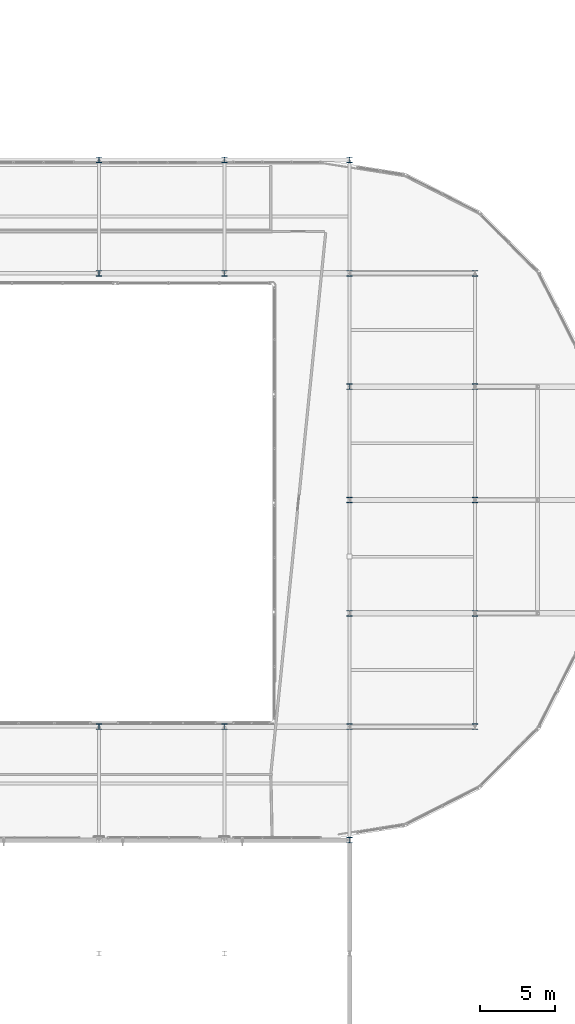
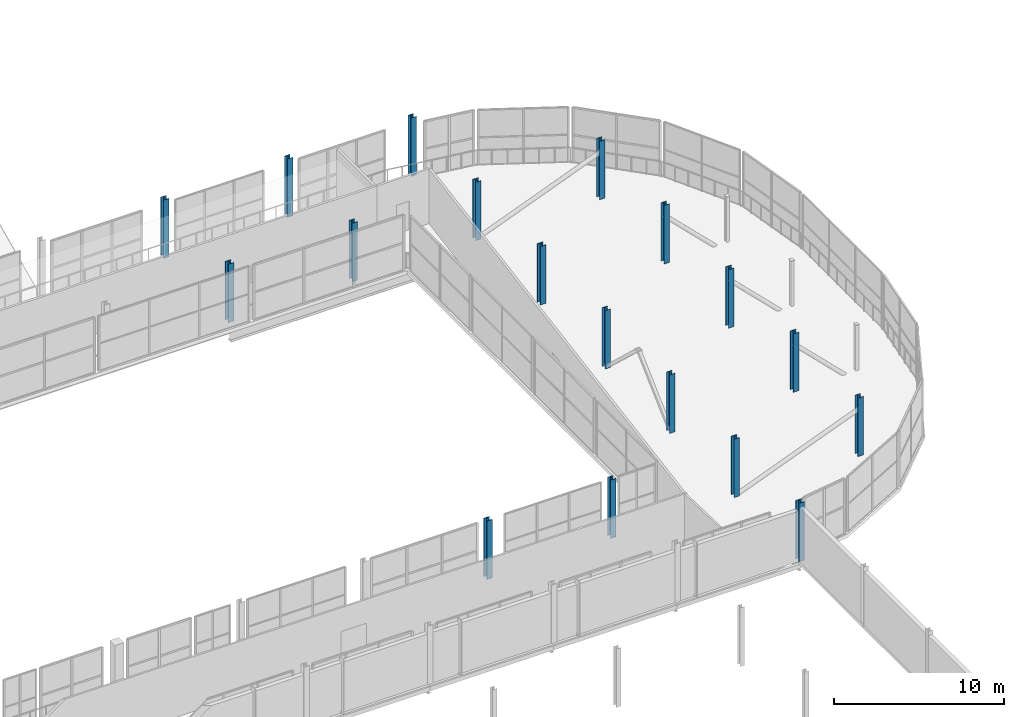
# One storey, part 12 of 217: 18 columns.
"""IFC4 building model written with IfcOpenShell, lengths in metres."""

from ifc_helpers import new_model, si_unit, direction, frame, origin, origin_2d, place, context, subcontext, project, spatial, i_section, extrude, material, material_profile, profile_set, type_object, element, save


model = new_model("IFC4")

# Units and contexts
model_context = context("Model", 3, precision=1e-05, world=origin(), true_north=direction((0.0, 1.0)))
body_context = subcontext(model_context, "Body", "Model", "MODEL_VIEW")
ifc_project = project(units=[si_unit("LENGTHUNIT", "METRE"), si_unit("AREAUNIT", "SQUARE_METRE"), si_unit("VOLUMEUNIT", "CUBIC_METRE"), si_unit("PLANEANGLEUNIT", "RADIAN"), si_unit("MASSUNIT", "GRAM", prefix="KILO")], contexts=[model_context])

# Site, building, storey
site_placement = place(None, origin())
site = spatial("IfcSite", under=ifc_project, at=site_placement, CompositionType="ELEMENT")
building_placement = place(site_placement, origin())
building = spatial("IfcBuilding", under=site, at=building_placement, Name="Zuvorla Pavilion Media Centre", CompositionType="ELEMENT")
storey_placement = place(building_placement, frame((0.0, 0.0, 9.60009765625)))
storey = spatial("IfcBuildingStorey", under=building, at=storey_placement, Name="L02", CompositionType="ELEMENT", Elevation=9.60009765625)

# Columns
ifc_material = material(Name="Steel S355", Category="steel")
ifc_material_profile = material_profile(ifc_material, i_section(OverallWidth=0.37255859375, OverallDepth=0.3681640625, WebThickness=0.014404296875, FlangeThickness=0.023681640625, FilletRadius=0.01513671875, at=origin_2d()), Name="UC 356x368x177")
ifc_profile_set = profile_set([ifc_material_profile], Name="Steel S355")
column_type = type_object("IfcColumnType", Name="COL-UC356", PredefinedType="COLUMN", material=ifc_profile_set)
for number, where, z_axis, x_axis, name in (
    (1, (159.199951171875, 44.0, 0.0), (0.0, 0.0, 1.0), (1.0, 0.0, 0.0), "L02 column C09 571"),
    (2, (142.39990234375, 51.60009765625, 0.0), (0.0, 0.0, 1.0), (1.0, 0.0, 0.0), "L02 column C09 651"),
    (3, (150.800048828125, 51.60009765625, 0.0), (0.0, 0.0, 1.0), (1.0, 0.0, 0.0), "L02 column C09 656"),
    (4, (159.199951171875, 51.60009765625, 0.0), (0.0, 0.0, 1.0), (1.0, 0.0, 0.0), "L02 column C09 661"),
    (5, (167.60009765625, 51.60009765625, 0.0), (0.0, 0.0, 1.0), (1.0, 0.0, 0.0), "L02 column C09 666"),
    (6, (159.199951171875, 59.199951171875, 0.0), (0.0, 0.0, 1.0), (1.0, 0.0, 0.0), "L02 column C09 687"),
    (7, (167.60009765625, 59.199951171875, 0.0), (0.0, 0.0, 1.0), (1.0, 0.0, 0.0), "L02 column C09 692"),
    (8, (159.199951171875, 66.800048828125, 0.0), (0.0, 0.0, 1.0), (1.0, 0.0, 0.0), "L02 column C09 711"),
    (9, (167.60009765625, 66.800048828125, 0.0), (0.0, 0.0, 1.0), (1.0, 0.0, 0.0), "L02 column C09 716"),
    (10, (159.199951171875, 74.39990234375, 0.0), (0.0, 0.0, 1.0), (1.0, 0.0, 0.0), "L02 column C09 735"),
    (11, (167.60009765625, 74.39990234375, 0.0), (0.0, 0.0, 1.0), (1.0, 0.0, 0.0), "L02 column C09 740"),
    (12, (142.39990234375, 82.0, 0.0), (0.0, 0.0, 1.0), (1.0, 0.0, 0.0), "L02 column C09 820"),
    (13, (150.800048828125, 82.0, 0.0), (0.0, 0.0, 1.0), (1.0, 0.0, 0.0), "L02 column C09 825"),
    (14, (159.199951171875, 82.0, 0.0), (0.0, 0.0, 1.0), (1.0, 0.0, 0.0), "L02 column C09 830"),
    (15, (167.60009765625, 82.0, 0.0), (0.0, 0.0, 1.0), (1.0, 0.0, 0.0), "L02 column C09 835"),
    (16, (142.39990234375, 89.60009765625, 0.0), (0.0, 0.0, 1.0), (1.0, 0.0, 0.0), "L02 column C09 912"),
    (17, (150.800048828125, 89.60009765625, 0.0), (0.0, 0.0, 1.0), (1.0, 0.0, 0.0), "L02 column C09 917"),
    (18, (159.199951171875, 89.60009765625, 0.0), (0.0, 0.0, 1.0), (1.0, 0.0, 0.0), "L02 column C09 922"),
):
    element("IfcColumn", number, at=place(storey_placement, frame(where, z_axis=z_axis, x_axis=x_axis)), inside=storey, type_object=column_type, Name=name, PredefinedType="COLUMN", context=body_context, shape_type="SweptSolid", body=[
        extrude(i_section(OverallWidth=0.37255859375, OverallDepth=0.3681640625, WebThickness=0.014404296875, FlangeThickness=0.023681640625, FilletRadius=0.01513671875, at=origin_2d()), origin(), (0.0, 0.0, 1.0), 4.199951171875),
    ])

save(model, "model.ifc")
